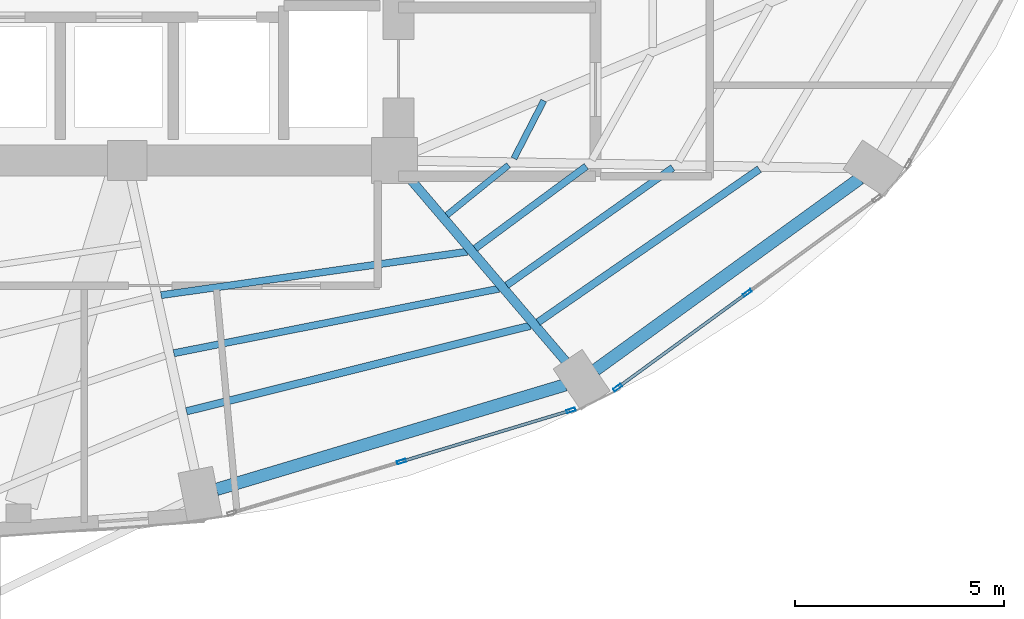
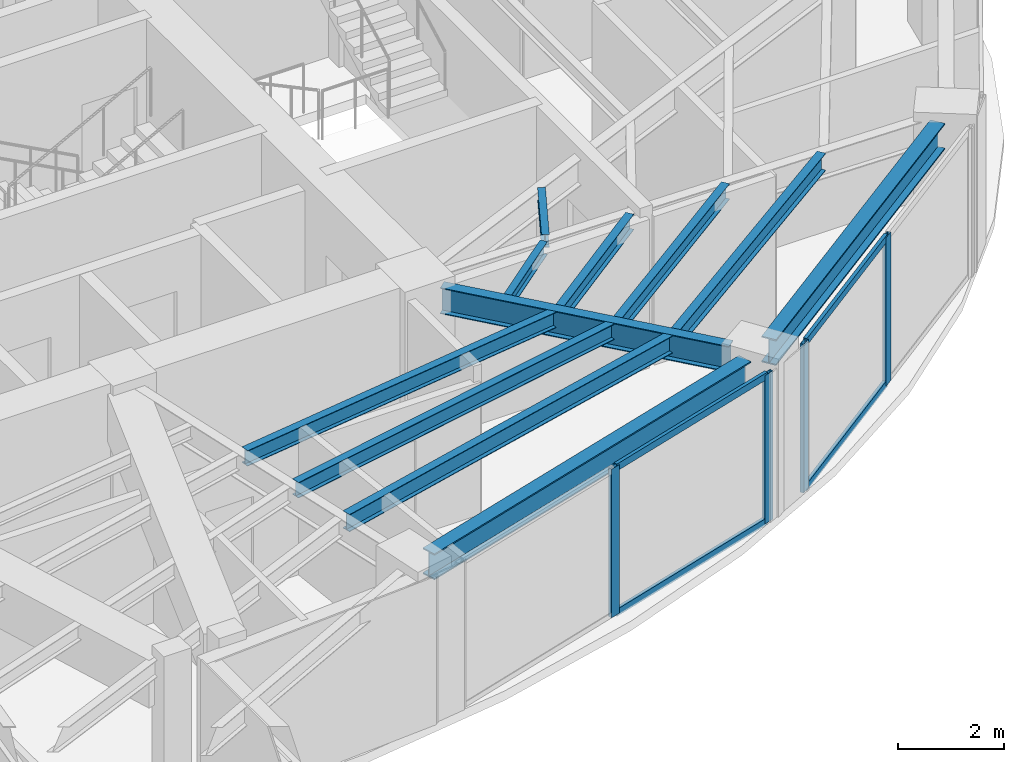
# One storey, part 11 of 24: 11 beams, 8 members, 2 elements without a shape of their own.
"""IFC4 building model written with IfcOpenShell, lengths in metres."""

import ifcopenshell
import ifcopenshell.guid

model = None  # the IFC model being written
_history = None  # IfcOwnerHistory: only IFC2X3 demands one
_inside = {}  # id of a spatial element -> (the spatial element, [elements in it])
_under = {}  # id of a project, library or spatial element -> (it, [spatial elements below it])
_declared = {}  # id of a project -> (the project, [libraries it declares])
_typed = {}  # id of a type object -> (the type object, [elements of that type])
_made_of = {}  # id of a material, layer set ... -> (it, [elements and type objects made of it])


def new_model(schema):
    """Start an empty IFC model of exactly this schema.

    Asked for "IFC4X3", IfcOpenShell would pick the latest addendum, in which some entities
    have other attributes; the version numbers below select the first issue.
    IFC2X3 requires an IfcOwnerHistory on every rooted entity: one is made here for all.
    """
    global model, _history
    if schema == "IFC4X3":
        model = ifcopenshell.file(schema_version=(4, 3, 0, 0))
    else:
        model = ifcopenshell.file(schema=schema)
    _inside.clear()
    _under.clear()
    _declared.clear()
    _typed.clear()
    _made_of.clear()
    _history = None
    if model.schema == "IFC2X3":
        org = make("IfcOrganization", Name="unknown")
        user = make(
            "IfcPersonAndOrganization",
            ThePerson=make("IfcPerson", FamilyName="unknown"),
            TheOrganization=org,
        )
        app = make(
            "IfcApplication",
            ApplicationDeveloper=org,
            Version="unknown",
            ApplicationFullName="unknown",
            ApplicationIdentifier="unknown",
        )
        _history = make(
            "IfcOwnerHistory",
            OwningUser=user,
            OwningApplication=app,
            ChangeAction="ADDED",
            CreationDate=0,
        )
    return model


def make(cls, **values):
    """One entity of the class cls with the attributes given. An attribute that is None is left unset."""
    return model.create_entity(
        cls, **{name: value for name, value in values.items() if value is not None}
    )


def rooted(cls, **values):
    """An entity with a GlobalId (a new one), such as an element, a storey or a relation."""
    return make(cls, GlobalId=ifcopenshell.guid.new(), OwnerHistory=_history, **values)


def si_unit(unit_type, name, prefix=None):
    """IfcSIUnit, for example si_unit("LENGTHUNIT", "METRE", prefix="MILLI")."""
    return make("IfcSIUnit", UnitType=unit_type, Prefix=prefix, Name=name)


def assignment(units):
    """IfcUnitAssignment: the units of a project."""
    return None if units is None else make("IfcUnitAssignment", Units=units)


def point(xyz):
    """IfcCartesianPoint."""
    return None if xyz is None else make("IfcCartesianPoint", Coordinates=xyz)


def direction(xyz):
    """IfcDirection."""
    return None if xyz is None else make("IfcDirection", DirectionRatios=xyz)


def frame(location, z_axis=None, x_axis=None):
    """IfcAxis2Placement3D, a coordinate frame: its origin and axes. An axis left out is left unset."""
    return make(
        "IfcAxis2Placement3D",
        Location=point(location),
        Axis=direction(z_axis),
        RefDirection=direction(x_axis),
    )


def frame_2d(location, x_axis=None):
    """IfcAxis2Placement2D, a coordinate frame in the plane: its origin and x axis."""
    return make(
        "IfcAxis2Placement2D", Location=point(location), RefDirection=direction(x_axis)
    )


def origin():
    """The frame at (0, 0, 0) with its axes left unset."""
    return frame((0.0, 0.0, 0.0))


def origin_2d():
    """The frame at (0, 0) in the plane with its x axis left unset."""
    return frame_2d((0.0, 0.0))


def place(relative_to, where):
    """IfcLocalPlacement: puts the frame where relative to a parent placement (None: the world)."""
    return make(
        "IfcLocalPlacement", PlacementRelTo=relative_to, RelativePlacement=where
    )


def context(
    kind, dimensions, precision=None, world=None, true_north=None, identifier=None
):
    """IfcGeometricRepresentationContext, for example the 3D "Model" context."""
    return make(
        "IfcGeometricRepresentationContext",
        ContextIdentifier=identifier,
        ContextType=kind,
        CoordinateSpaceDimension=dimensions,
        Precision=precision,
        WorldCoordinateSystem=world,
        TrueNorth=true_north,
    )


def subcontext(parent, identifier, kind, view, scale=None):
    """IfcGeometricRepresentationSubContext, for example "Body" below "Model"."""
    return make(
        "IfcGeometricRepresentationSubContext",
        ContextIdentifier=identifier,
        ContextType=kind,
        ParentContext=parent,
        TargetScale=scale,
        TargetView=view,
    )


def project(units=None, contexts=None):
    """IfcProject with its units and contexts."""
    return rooted(
        "IfcProject",
        Name="project",
        RepresentationContexts=contexts,
        UnitsInContext=assignment(units),
    )


def spatial(cls, under=None, at=None, **own):
    """A site, building, storey or space (cls), placed at a placement, below another one or the project."""
    s = rooted(cls, ObjectPlacement=at, **own)
    if under is not None:
        _under.setdefault(under.id(), (under, []))[1].append(s)
    return s


def profile(cls, at=None, kind="AREA", **sizes):
    """A parametric profile (cls). Its sizes go by their IFC names, for example OverallWidth=200.0."""
    return make(cls, ProfileType=kind, Position=at, **sizes)


def hollow_rectangle(**sizes):
    """IfcRectangleHollowProfileDef."""
    return profile("IfcRectangleHollowProfileDef", **sizes)


def i_section(**sizes):
    """IfcIShapeProfileDef."""
    return profile("IfcIShapeProfileDef", **sizes)


def extrude(swept, where, along, depth):
    """IfcExtrudedAreaSolid: the profile swept, set in the frame where, extruded along a direction by depth."""
    return make(
        "IfcExtrudedAreaSolid",
        SweptArea=swept,
        Position=where,
        ExtrudedDirection=direction(along),
        Depth=depth,
    )


def shape(context_of_items, identifier, shape_type, items):
    """IfcShapeRepresentation: the items that make up one representation, for example the "Body"."""
    return make(
        "IfcShapeRepresentation",
        ContextOfItems=context_of_items,
        RepresentationIdentifier=identifier,
        RepresentationType=shape_type,
        Items=items,
    )


def material(Name=None, Category=None):
    """IfcMaterial."""
    return make("IfcMaterial", Name=Name, Category=Category)


def layer(
    of_material, thickness, ventilated=None, Name=None, Category=None, Priority=None
):
    """IfcMaterialLayer: one layer of a wall or slab, of a material (None: an air gap)."""
    return make(
        "IfcMaterialLayer",
        Material=of_material,
        LayerThickness=thickness,
        IsVentilated=ventilated,
        Name=Name,
        Category=Category,
        Priority=Priority,
    )


def layer_set(layers, Name=None):
    """IfcMaterialLayerSet."""
    return make("IfcMaterialLayerSet", MaterialLayers=layers, LayerSetName=Name)


def material_profile(
    of_material, cross_section, Name=None, Category=None, Priority=None
):
    """IfcMaterialProfile: a cross section and its material."""
    return make(
        "IfcMaterialProfile",
        Name=Name,
        Material=of_material,
        Profile=cross_section,
        Priority=Priority,
        Category=Category,
    )


def profile_set(profiles, Name=None, composite=None):
    """IfcMaterialProfileSet."""
    return make(
        "IfcMaterialProfileSet",
        Name=Name,
        MaterialProfiles=profiles,
        CompositeProfile=composite,
    )


def made_of(thing, what):
    """Note that an element or type object is made of a material, layer set ...; save() writes the relation."""
    if what is not None:
        _made_of.setdefault(what.id(), (what, []))[1].append(thing)
    return thing


def type_object(cls, material=None, **own):
    """A type object (cls), such as IfcWallType, which elements share."""
    return made_of(rooted(cls, **own), material)


def element(
    cls,
    number,
    at=None,
    inside=None,
    cuts=None,
    type_object=None,
    material=None,
    context=None,
    identifier="Body",
    shape_type=None,
    held_by="IfcProductDefinitionShape",
    body=None,
    shapes=None,
    **own,
):
    """One element of the class cls, such as IfcWall. Its Tag is "e" and its number.

    at: its placement. inside: the storey or other place that contains it. cuts: it is an
    opening in that element (IfcRelVoidsElement). A single representation is given by context,
    identifier, shape_type and body (its items); several are given by shapes. held_by: the class
    of the entity that holds the representations. save() writes the other relations.
    """
    e = rooted(cls, Tag="e%d" % number, ObjectPlacement=at, **own)
    if body is not None:
        shapes = [shape(context, identifier, shape_type, body)]
    if shapes is not None:
        e.Representation = make(held_by, Representations=shapes)
    if inside is not None:
        _inside.setdefault(inside.id(), (inside, []))[1].append(e)
    if cuts is not None:
        rooted(
            "IfcRelVoidsElement", RelatingBuildingElement=cuts, RelatedOpeningElement=e
        )
    if type_object is not None:
        _typed.setdefault(type_object.id(), (type_object, []))[1].append(e)
    return made_of(e, material)


def aggregate(whole, parts):
    """IfcRelAggregates: a whole, such as a stair, and the parts it consists of."""
    return rooted("IfcRelAggregates", RelatingObject=whole, RelatedObjects=parts)


def save(model, path):
    """Write the relations noted so far, then the file.

    IfcRelAggregates (storeys below a building ...), IfcRelContainedInSpatialStructure (elements
    in a storey), IfcRelDefinesByType, IfcRelAssociatesMaterial and IfcRelDeclares: one each for
    every whole, place, type object, material and project.
    """
    for whole, parts in _under.values():
        aggregate(whole, parts)
    for where, things in _inside.values():
        rooted(
            "IfcRelContainedInSpatialStructure",
            RelatedElements=things,
            RelatingStructure=where,
        )
    for kind, things in _typed.values():
        rooted("IfcRelDefinesByType", RelatedObjects=things, RelatingType=kind)
    for what, things in _made_of.values():
        rooted("IfcRelAssociatesMaterial", RelatedObjects=things, RelatingMaterial=what)
    for by, libraries in _declared.values():
        rooted("IfcRelDeclares", RelatingContext=by, RelatedDefinitions=libraries)
    model.write(path)


model = new_model("IFC4")

# Units and contexts
model_context = context("Model", 3, precision=1e-05, world=origin(), true_north=direction((0.0, 1.0)))
body_context = subcontext(model_context, "Body", "Model", "MODEL_VIEW")
ifc_project = project(units=[si_unit("LENGTHUNIT", "METRE"), si_unit("AREAUNIT", "SQUARE_METRE"), si_unit("VOLUMEUNIT", "CUBIC_METRE"), si_unit("PLANEANGLEUNIT", "RADIAN"), si_unit("MASSUNIT", "GRAM", prefix="KILO")], contexts=[model_context])

# Site, building, storey
site_placement = place(None, origin())
site = spatial("IfcSite", under=ifc_project, at=site_placement, CompositionType="ELEMENT")
building_placement = place(site_placement, origin())
building = spatial("IfcBuilding", under=site, at=building_placement, Name="Lazwardi Medical Tower", CompositionType="ELEMENT")
storey_placement = place(building_placement, frame((0.0, 0.0, 114.575927734375)))
storey = spatial("IfcBuildingStorey", under=building, at=storey_placement, Name="L29", CompositionType="ELEMENT", Elevation=114.575927734375)

# Beams
ifc_material_1 = material(Name="Steel S355", Category="steel")
ifc_material_profile_1 = material_profile(ifc_material_1, i_section(OverallWidth=0.300048828125, OverallDepth=0.60009765625, WebThickness=0.015380859375, FlangeThickness=0.030029296875, at=origin_2d()), Name="HEB 600")
ifc_profile_set_1 = profile_set([ifc_material_profile_1], Name="Steel S355")
beam_type_1 = type_object("IfcBeamType", Name="BM-RB-Z2", PredefinedType="BEAM", material=ifc_profile_set_1)
beam_1_placement = place(storey_placement, frame((41.338134765625, 12.5205078125, 3.128173828125), z_axis=(0.957879438442, 0.287170648587, 0.0), x_axis=(-0.287170648587, 0.957879438442, 0.0)))
element("IfcBeam", 1, at=beam_1_placement, inside=storey, type_object=beam_type_1, Name="Ring beam RB-03 B01 L29", PredefinedType="BEAM", context=body_context, shape_type="SweptSolid", body=[
    extrude(i_section(OverallWidth=0.300048828125, OverallDepth=0.60009765625, WebThickness=0.015380859375, FlangeThickness=0.030029296875, at=origin_2d()), origin(), (0.0, 0.0, 1.0), 8.719970703125),
])
beam_2_placement = place(storey_placement, frame((50.415771484375, 15.3828125, 3.128173828125), z_axis=(0.810041907649, 0.586371987609, 0.0), x_axis=(-0.586371987609, 0.810041907649, 0.0)))
element("IfcBeam", 2, at=beam_2_placement, inside=storey, type_object=beam_type_1, Name="Ring beam RB-03 B02 L29", PredefinedType="BEAM", context=body_context, shape_type="SweptSolid", body=[
    extrude(i_section(OverallWidth=0.300048828125, OverallDepth=0.60009765625, WebThickness=0.015380859375, FlangeThickness=0.030029296875, at=origin_2d()), origin(), (0.0, 0.0, 1.0), 7.814208984375),
])
ifc_material_profile_2 = material_profile(ifc_material_1, i_section(OverallWidth=0.219970703125, OverallDepth=0.60009765625, WebThickness=0.011962890625, FlangeThickness=0.01904296875, at=origin_2d()), Name="IPE 600")
ifc_profile_set_2 = profile_set([ifc_material_profile_2], Name="Steel S355")
beam_type_2 = type_object("IfcBeamType", Name="BM-RG-W1", PredefinedType="BEAM", material=ifc_profile_set_2)
beam_3_placement = place(storey_placement, frame((49.707275390625, 15.583740234375, 3.128173828125), z_axis=(-0.648870567436, 0.760898801889, 0.0), x_axis=(-0.760898801889, -0.648870567436, 0.0)))
element("IfcBeam", 3, at=beam_3_placement, inside=storey, type_object=beam_type_2, Name="Radial girder RG-02 R02 L29", PredefinedType="BEAM", context=body_context, shape_type="SweptSolid", body=[
    extrude(i_section(OverallWidth=0.219970703125, OverallDepth=0.60009765625, WebThickness=0.011962890625, FlangeThickness=0.01904296875, at=origin_2d()), origin(), (0.0, 0.0, 1.0), 5.794677734375),
])
ifc_material_profile_3 = material_profile(ifc_material_1, i_section(OverallWidth=0.179931640625, OverallDepth=0.39990234375, WebThickness=0.008544921875, FlangeThickness=0.013427734375, at=origin_2d()), Name="IPE 400")
ifc_profile_set_3 = profile_set([ifc_material_profile_3], Name="Steel S355")
beam_type_3 = type_object("IfcBeamType", Name="BM-SJ-01", PredefinedType="JOIST", material=ifc_profile_set_3)
beam_4_placement = place(storey_placement, frame((40.618896484375, 14.390869140625, 3.22802734375), z_axis=(0.970400881943, 0.241499748081, 0.0), x_axis=(-0.241499748081, 0.970400881943, 0.0)))
element("IfcBeam", 4, at=beam_4_placement, inside=storey, type_object=beam_type_3, Name="Secondary joist SJ-01 R1 B01 L29", PredefinedType="JOIST", context=body_context, shape_type="SweptSolid", body=[
    extrude(i_section(OverallWidth=0.179931640625, OverallDepth=0.39990234375, WebThickness=0.008544921875, FlangeThickness=0.013427734375, at=origin_2d()), origin(), (0.0, 0.0, 1.0), 8.48583984375),
])
beam_5_placement = place(storey_placement, frame((49.04150390625, 16.525390625, 3.22802734375), z_axis=(0.822376339068, 0.568943896128, 0.0), x_axis=(-0.568943896128, 0.822376339068, 0.0)))
element("IfcBeam", 5, at=beam_5_placement, inside=storey, type_object=beam_type_3, Name="Secondary joist SJ-01 R1 B02 L29", PredefinedType="JOIST", context=body_context, shape_type="SweptSolid", body=[
    extrude(i_section(OverallWidth=0.179931640625, OverallDepth=0.39990234375, WebThickness=0.008544921875, FlangeThickness=0.013427734375, at=origin_2d()), origin(), (0.0, 0.0, 1.0), 6.44189453125),
])
ifc_material_profile_4 = material_profile(ifc_material_1, i_section(OverallWidth=0.169921875, OverallDepth=0.360107421875, WebThickness=0.008056640625, FlangeThickness=0.0126953125, at=origin_2d()), Name="IPE 360")
ifc_profile_set_4 = profile_set([ifc_material_profile_4], Name="Steel S355")
beam_type_4 = type_object("IfcBeamType", Name="BM-SJ-02", PredefinedType="JOIST", material=ifc_profile_set_4)
beam_6_placement = place(storey_placement, frame((40.315185546875, 15.7822265625, 3.248046875), z_axis=(0.980878853282, 0.194619308352, 0.0), x_axis=(-0.194619308352, 0.980878853282, 0.0)))
element("IfcBeam", 6, at=beam_6_placement, inside=storey, type_object=beam_type_4, Name="Secondary joist SJ-02 R2 B01 L29", PredefinedType="JOIST", context=body_context, shape_type="SweptSolid", body=[
    extrude(i_section(OverallWidth=0.169921875, OverallDepth=0.360107421875, WebThickness=0.008056640625, FlangeThickness=0.0126953125, at=origin_2d()), origin(), (0.0, 0.0, 1.0), 7.93701171875),
])
beam_7_placement = place(storey_placement, frame((48.2890625, 17.408203125, 3.248046875), z_axis=(0.816156371539, 0.577831097464, 0.0), x_axis=(-0.577831097464, 0.816156371539, 0.0)))
element("IfcBeam", 7, at=beam_7_placement, inside=storey, type_object=beam_type_4, Name="Secondary joist SJ-02 R2 B02 L29", PredefinedType="JOIST", context=body_context, shape_type="SweptSolid", body=[
    extrude(i_section(OverallWidth=0.169921875, OverallDepth=0.360107421875, WebThickness=0.008056640625, FlangeThickness=0.0126953125, at=origin_2d()), origin(), (0.0, 0.0, 1.0), 4.8740234375),
])
beam_8_placement = place(storey_placement, frame((40.011474609375, 17.1728515625, 3.248046875), z_axis=(0.990067108571, 0.140595592128, 0.0), x_axis=(-0.140595592128, 0.990067108571, 0.0)))
element("IfcBeam", 8, at=beam_8_placement, inside=storey, type_object=beam_type_4, Name="Secondary joist SJ-02 R3 B01 L29", PredefinedType="JOIST", context=body_context, shape_type="SweptSolid", body=[
    extrude(i_section(OverallWidth=0.169921875, OverallDepth=0.360107421875, WebThickness=0.008056640625, FlangeThickness=0.0126953125, at=origin_2d()), origin(), (0.0, 0.0, 1.0), 7.409423828125),
])
beam_9_placement = place(storey_placement, frame((47.53564453125, 18.291748046875, 3.248046875), z_axis=(0.804125525058, 0.594459536008, 0.0), x_axis=(-0.594459536008, 0.804125525058, 0.0)))
element("IfcBeam", 9, at=beam_9_placement, inside=storey, type_object=beam_type_4, Name="Secondary joist SJ-02 R3 B02 L29", PredefinedType="JOIST", context=body_context, shape_type="SweptSolid", body=[
    extrude(i_section(OverallWidth=0.169921875, OverallDepth=0.360107421875, WebThickness=0.008056640625, FlangeThickness=0.0126953125, at=origin_2d()), origin(), (0.0, 0.0, 1.0), 3.30810546875),
])
ifc_material_profile_5 = material_profile(ifc_material_1, i_section(OverallWidth=0.14990234375, OverallDepth=0.300048828125, WebThickness=0.007080078125, FlangeThickness=0.0107421875, at=origin_2d()), Name="IPE 300")
ifc_profile_set_5 = profile_set([ifc_material_profile_5], Name="Steel S355")
beam_type_5 = type_object("IfcBeamType", Name="BM-SJ-03", PredefinedType="JOIST", material=ifc_profile_set_5)
beam_10_placement = place(storey_placement, frame((46.85595703125, 19.089111328125, 3.278076171875), z_axis=(0.77695773322, 0.629552762515, 0.0), x_axis=(-0.629552762515, 0.77695773322, 0.0)))
element("IfcBeam", 10, at=beam_10_placement, inside=storey, type_object=beam_type_5, Name="Secondary joist SJ-03 R4 B02 L29", PredefinedType="JOIST", context=body_context, shape_type="SweptSolid", body=[
    extrude(i_section(OverallWidth=0.14990234375, OverallDepth=0.300048828125, WebThickness=0.007080078125, FlangeThickness=0.0107421875, at=origin_2d()), origin(), (0.0, 0.0, 1.0), 1.9013671875),
])
beam_11_placement = place(storey_placement, frame((48.462890625, 20.445556640625, 3.278076171875), z_axis=(0.457956589674, 0.888974556427, 0.0), x_axis=(-0.888974556427, 0.457956589674, 0.0)))
element("IfcBeam", 11, at=beam_11_placement, inside=storey, type_object=beam_type_5, Name="Secondary joist SJ-03 R4 B03 L29", PredefinedType="JOIST", context=body_context, shape_type="SweptSolid", body=[
    extrude(i_section(OverallWidth=0.14990234375, OverallDepth=0.300048828125, WebThickness=0.007080078125, FlangeThickness=0.0107421875, at=origin_2d()), origin(), (0.0, 0.0, 1.0), 1.558837890625),
])

# Curtain wall, members
ifc_material_2 = material(Name="Anodised bronze aluminium and solar control glazing", Category="aluminium")
ifc_layer = layer(ifc_material_2, 0.195068359375)
ifc_layer_set = layer_set([ifc_layer], Name="Anodised bronze aluminium and solar control glazing")
curtain_wall_type = type_object("IfcCurtainWallType", Name="CW-SYS-03", PredefinedType="NOTDEFINED", material=ifc_layer_set)
curtain_wall_1_placement = place(storey_placement, origin())
curtain_wall_1 = element("IfcCurtainWall", 12, at=curtain_wall_1_placement, inside=storey, type_object=curtain_wall_type, Name="L29 Unitised bronze curtain wall CW-03", PredefinedType="NOTDEFINED")
ifc_material_3 = material(Name="Anodised bronze aluminium", Category="aluminium")
ifc_material_profile_6 = material_profile(ifc_material_3, hollow_rectangle(XDim=0.074951171875, YDim=0.219970703125, WallThickness=0.00390625, at=origin_2d()), Name="ALU-MULLION 220x75x4")
ifc_profile_set_6 = profile_set([ifc_material_profile_6], Name="Anodised bronze aluminium")
member_type_1 = type_object("IfcMemberType", Name="CW-MUL-01", PredefinedType="MULLION", material=ifc_profile_set_6)
member_1_placement = place(storey_placement, frame((45.769287109375, 13.18701171875, 0.0), z_axis=(0.0, 0.0, 1.0), x_axis=(-0.28937381157, 0.957216170558, 0.0)))
member_1 = element("IfcMember", 13, at=member_1_placement, type_object=member_type_1, Name="CW-03 mullion 2", PredefinedType="MULLION", context=body_context, shape_type="SweptSolid", body=[
    extrude(hollow_rectangle(XDim=0.074951171875, YDim=0.219970703125, WallThickness=0.00390625, at=origin_2d()), origin(), (0.0, 0.0, 1.0), 3.427978515625),
])
member_2_placement = place(storey_placement, frame((49.828369140625, 14.4140625, 0.0), z_axis=(0.0, 0.0, 1.0), x_axis=(-0.28937381157, 0.957216170558, 0.0)))
member_2 = element("IfcMember", 14, at=member_2_placement, type_object=member_type_1, Name="CW-03 mullion 3", PredefinedType="MULLION", context=body_context, shape_type="SweptSolid", body=[
    extrude(hollow_rectangle(XDim=0.074951171875, YDim=0.219970703125, WallThickness=0.00390625, at=origin_2d()), origin(), (0.0, 0.0, 1.0), 3.427978515625),
])

curtain_wall_2_placement = place(storey_placement, origin())
curtain_wall_2 = element("IfcCurtainWall", 15, at=curtain_wall_2_placement, inside=storey, type_object=curtain_wall_type, Name="L29 Unitised bronze curtain wall CW-03", PredefinedType="NOTDEFINED")
member_3_placement = place(storey_placement, frame((50.947265625, 14.96044921875, 0.0), z_axis=(0.0, 0.0, 1.0), x_axis=(-0.589530882802, 0.807745837639, 0.0)))
member_3 = element("IfcMember", 16, at=member_3_placement, type_object=member_type_1, Name="CW-03 mullion 1", PredefinedType="MULLION", context=body_context, shape_type="SweptSolid", body=[
    extrude(hollow_rectangle(XDim=0.074951171875, YDim=0.219970703125, WallThickness=0.00390625, at=origin_2d()), origin(), (0.0, 0.0, 1.0), 3.427978515625),
])
member_4_placement = place(storey_placement, frame((54.051025390625, 17.225830078125, 0.0), z_axis=(0.0, 0.0, 1.0), x_axis=(-0.589530882802, 0.807745837639, 0.0)))
member_4 = element("IfcMember", 17, at=member_4_placement, type_object=member_type_1, Name="CW-03 mullion 2", PredefinedType="MULLION", context=body_context, shape_type="SweptSolid", body=[
    extrude(hollow_rectangle(XDim=0.074951171875, YDim=0.219970703125, WallThickness=0.00390625, at=origin_2d()), origin(), (0.0, 0.0, 1.0), 3.427978515625),
])

# Member
ifc_material_profile_7 = material_profile(ifc_material_3, hollow_rectangle(XDim=0.074951171875, YDim=0.159912109375, WallThickness=0.00390625, at=origin_2d()), Name="ALU-TRANSOM 160x75x4")
ifc_profile_set_7 = profile_set([ifc_material_profile_7], Name="Anodised bronze aluminium")
member_type_2 = type_object("IfcMemberType", Name="CW-TRN-01", PredefinedType="USERDEFINED", material=ifc_profile_set_7)
member_5_placement = place(storey_placement, frame((45.80517578125, 13.19775390625, 0.03759765625), z_axis=(0.957220865985, 0.289358279168, 0.0), x_axis=(-0.289358279168, 0.957220865985, 0.0)))
member_5 = element("IfcMember", 18, at=member_5_placement, type_object=member_type_2, Name="CW-03 transom 2.1", ObjectType="TRANSOM", PredefinedType="USERDEFINED", context=body_context, shape_type="SweptSolid", body=[
    extrude(hollow_rectangle(XDim=0.074951171875, YDim=0.159912109375, WallThickness=0.00390625, at=origin_2d()), origin(), (0.0, 0.0, 1.0), 4.16552734375),
])

member_6_placement = place(storey_placement, frame((45.80517578125, 13.19775390625, 3.390625), z_axis=(0.957220865985, 0.289358279168, 0.0), x_axis=(-0.289358279168, 0.957220865985, 0.0)))
member_6 = element("IfcMember", 19, at=member_6_placement, type_object=member_type_2, Name="CW-03 transom 2.2", ObjectType="TRANSOM", PredefinedType="USERDEFINED", context=body_context, shape_type="SweptSolid", body=[
    extrude(hollow_rectangle(XDim=0.074951171875, YDim=0.159912109375, WallThickness=0.00390625, at=origin_2d()), origin(), (0.0, 0.0, 1.0), 4.16552734375),
])

aggregate(curtain_wall_1, [member_1, member_2, member_5, member_6])

member_7_placement = place(storey_placement, frame((50.9775390625, 14.982421875, 0.03759765625), z_axis=(0.807731734271, 0.589550206049, 0.0), x_axis=(-0.589550206049, 0.807731734271, 0.0)))
member_7 = element("IfcMember", 20, at=member_7_placement, type_object=member_type_2, Name="CW-03 transom 1.1", ObjectType="TRANSOM", PredefinedType="USERDEFINED", context=body_context, shape_type="SweptSolid", body=[
    extrude(hollow_rectangle(XDim=0.074951171875, YDim=0.159912109375, WallThickness=0.00390625, at=origin_2d()), origin(), (0.0, 0.0, 1.0), 3.767578125),
])

member_8_placement = place(storey_placement, frame((50.9775390625, 14.982421875, 3.390625), z_axis=(0.807731734271, 0.589550206049, 0.0), x_axis=(-0.589550206049, 0.807731734271, 0.0)))
member_8 = element("IfcMember", 21, at=member_8_placement, type_object=member_type_2, Name="CW-03 transom 1.2", ObjectType="TRANSOM", PredefinedType="USERDEFINED", context=body_context, shape_type="SweptSolid", body=[
    extrude(hollow_rectangle(XDim=0.074951171875, YDim=0.159912109375, WallThickness=0.00390625, at=origin_2d()), origin(), (0.0, 0.0, 1.0), 3.767578125),
])

aggregate(curtain_wall_2, [member_3, member_4, member_7, member_8])

save(model, "model.ifc")
